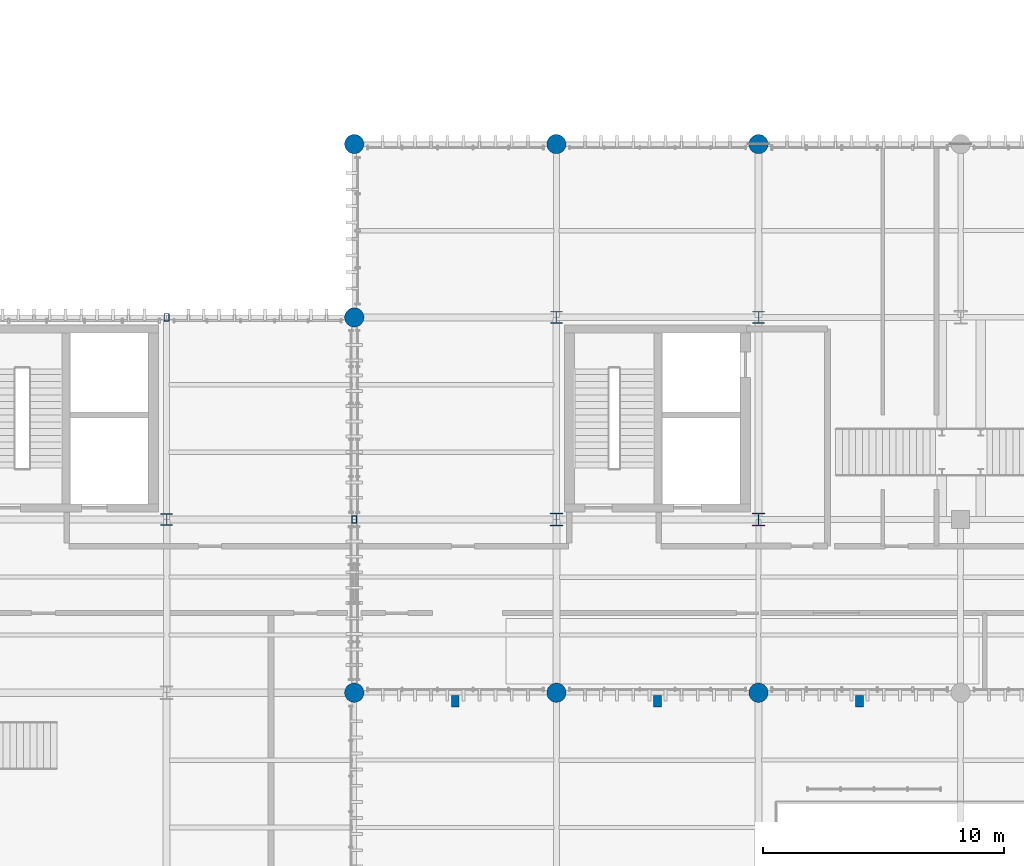
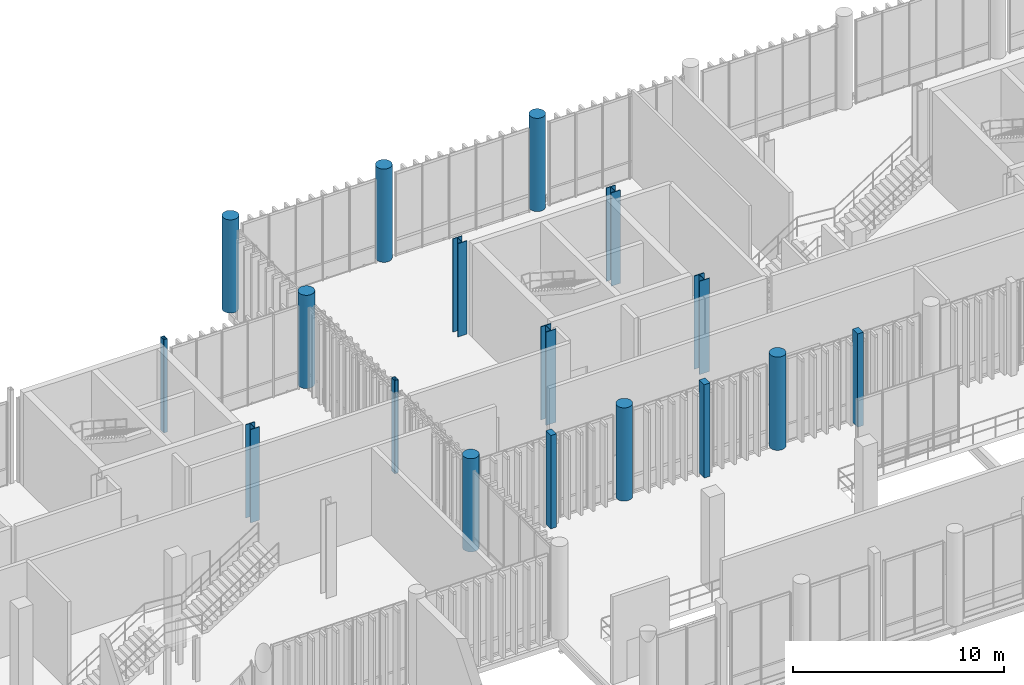
# One storey, part 4 of 128: 17 columns.
"""IFC4 building model written with IfcOpenShell, lengths in metres."""

from ifc_helpers import new_model, si_unit, direction, frame, origin_with_axes, origin_2d_with_axis, place, context, subcontext, project, spatial, rectangle, hollow_rectangle, circle, i_section, extrude, material, material_profile, profile_set, type_object, element, save


model = new_model("IFC4")

# Units and contexts
model_context = context("Model", 3, precision=1e-05, world=origin_with_axes(), true_north=direction((0.0, 1.0)))
body_context = subcontext(model_context, "Body", "Model", "MODEL_VIEW")
ifc_project = project(units=[si_unit("LENGTHUNIT", "METRE"), si_unit("AREAUNIT", "SQUARE_METRE"), si_unit("VOLUMEUNIT", "CUBIC_METRE"), si_unit("PLANEANGLEUNIT", "RADIAN"), si_unit("MASSUNIT", "GRAM", prefix="KILO"), si_unit("THERMODYNAMICTEMPERATUREUNIT", "KELVIN")], contexts=[model_context])

# Site, building, storey
site_placement = place(None, origin_with_axes())
site = spatial("IfcSite", under=ifc_project, at=site_placement, CompositionType="ELEMENT")
building_placement = place(site_placement, origin_with_axes())
building = spatial("IfcBuilding", under=site, at=building_placement, Name="Montbau Bow Law Courts", CompositionType="ELEMENT")
storey_placement = place(building_placement, frame((0.0, 0.0, 5.4), z_axis=(0.0, 0.0, 1.0), x_axis=(1.0, 0.0, 0.0)))
storey = spatial("IfcBuildingStorey", under=building, at=storey_placement, Name="L01", CompositionType="ELEMENT", Elevation=5.4)

# Columns
ifc_material_1 = material(Name="Steel CSA G40.21 Grade 350WT (350 MPa)", Category="steel")
ifc_material_profile_1 = material_profile(ifc_material_1, hollow_rectangle(XDim=0.203, YDim=0.305, WallThickness=0.0127, InnerFilletRadius=0.0254, OuterFilletRadius=0.0127, at=origin_2d_with_axis()), Name="HSS305X203X13", Category="Main", Priority=0)
ifc_profile_set_1 = profile_set([ifc_material_profile_1], Name="Steel CSA G40.21 Grade 350WT (350 MPa)")
column_type_1 = type_object("IfcColumnType", Name="C-HSS-03", PredefinedType="COLUMN", material=ifc_profile_set_1)
for number, where, z_axis, x_axis, name in (
    (1, (39.0, 54.6, 5.4), (0.0, 0.0, 1.0), (1.0, 0.0, 0.0), "C-L01-S0392:col2_0392"),
    (2, (46.8, 46.2, 5.4), (0.0, 0.0, 1.0), (1.0, 0.0, 0.0), "C-L01-S0396:col2_0396"),
):
    element("IfcColumn", number, at=place(None, frame(where, z_axis=z_axis, x_axis=x_axis)), inside=storey, type_object=column_type_1, Name=name, PredefinedType="COLUMN", context=body_context, shape_type="SweptSolid", body=[
        extrude(hollow_rectangle(XDim=0.203, YDim=0.305, WallThickness=0.0127, InnerFilletRadius=0.0254, OuterFilletRadius=0.0127, at=origin_2d_with_axis()), origin_with_axes(), (0.0, 0.0, 1.0), 5.4),
    ])
ifc_material_2 = material(Name="Concrete CSA A23.1 f'c 40 MPa", Category="concrete")
ifc_material_profile_2 = material_profile(ifc_material_2, rectangle(XDim=0.32, YDim=0.48, at=origin_2d_with_axis()), Name="RC480X320", Category="Main", Priority=0)
ifc_profile_set_2 = profile_set([ifc_material_profile_2], Name="Concrete CSA A23.1 f'c 40 MPa")
column_type_2 = type_object("IfcColumnType", Name="C-PIL-02", PredefinedType="PILASTER", material=ifc_profile_set_2)
for number, where, z_axis, x_axis, name in (
    (3, (51.0, 38.65, 5.4), (0.0, 0.0, 1.0), (1.0, 0.0, 0.0), "PL-L01-S09:pil2_0027"),
    (4, (59.4, 38.65, 5.4), (0.0, 0.0, 1.0), (1.0, 0.0, 0.0), "PL-L01-S10:pil2_0030"),
    (5, (67.8, 38.65, 5.4), (0.0, 0.0, 1.0), (1.0, 0.0, 0.0), "PL-L01-S11:pil2_0033"),
):
    element("IfcColumn", number, at=place(None, frame(where, z_axis=z_axis, x_axis=x_axis)), inside=storey, type_object=column_type_2, Name=name, PredefinedType="PILASTER", context=body_context, shape_type="SweptSolid", body=[
        extrude(rectangle(XDim=0.32, YDim=0.48, at=origin_2d_with_axis()), origin_with_axes(), (0.0, 0.0, 1.0), 5.4),
    ])
ifc_material_profile_3 = material_profile(ifc_material_2, circle(Radius=0.4, at=origin_2d_with_axis()), Name="RC800D", Category="Main", Priority=0)
ifc_profile_set_3 = profile_set([ifc_material_profile_3], Name="Concrete CSA A23.1 f'c 40 MPa")
column_type_3 = type_object("IfcColumnType", Name="C-RC-07", PredefinedType="COLUMN", material=ifc_profile_set_3)
for number, where, z_axis, x_axis, name in (
    (6, (46.8, 39.0, 5.4), (0.0, 0.0, 1.0), (1.0, 0.0, 0.0), "C-L01-S0395:col2_0395"),
    (7, (46.8, 54.6, 5.4), (0.0, 0.0, 1.0), (1.0, 0.0, 0.0), "C-L01-S0397:col2_0397"),
    (8, (46.8, 61.8, 5.4), (0.0, 0.0, 1.0), (1.0, 0.0, 0.0), "C-L01-S0398:col2_0398"),
    (9, (55.2, 39.0, 5.4), (0.0, 0.0, 1.0), (1.0, 0.0, 0.0), "C-L01-S0401:col2_0401"),
    (10, (55.2, 61.8, 5.4), (0.0, 0.0, 1.0), (1.0, 0.0, 0.0), "C-L01-S0404:col2_0404"),
    (11, (63.6, 39.0, 5.4), (0.0, 0.0, 1.0), (1.0, 0.0, 0.0), "C-L01-S0407:col2_0407"),
    (12, (63.6, 61.8, 5.4), (0.0, 0.0, 1.0), (1.0, 0.0, 0.0), "C-L01-S0410:col2_0410"),
):
    element("IfcColumn", number, at=place(None, frame(where, z_axis=z_axis, x_axis=x_axis)), inside=storey, type_object=column_type_3, Name=name, PredefinedType="COLUMN", context=body_context, shape_type="SweptSolid", body=[
        extrude(circle(Radius=0.4, at=origin_2d_with_axis()), origin_with_axes(), (0.0, 0.0, 1.0), 5.4),
    ])
ifc_material_3 = material(Name="Steel CSA G40.21 Grade 350W (350 MPa)", Category="steel")
ifc_material_profile_4 = material_profile(ifc_material_3, i_section(OverallWidth=0.55, OverallDepth=0.55, WebThickness=0.025, FlangeThickness=0.042, at=origin_2d_with_axis()), Name="WWF550X420", Category="Main", Priority=0)
ifc_profile_set_4 = profile_set([ifc_material_profile_4], Name="Steel CSA G40.21 Grade 350W (350 MPa)")
column_type_4 = type_object("IfcColumnType", Name="C-STL-01", PredefinedType="COLUMN", material=ifc_profile_set_4)
for number, where, z_axis, x_axis, name in (
    (13, (55.2, 46.2, 5.4), (0.0, 0.0, 1.0), (1.0, 0.0, 0.0), "C-L01-S0402:col2_0402"),
    (14, (63.6, 46.2, 5.4), (0.0, 0.0, 1.0), (1.0, 0.0, 0.0), "C-L01-S0408:col2_0408"),
):
    element("IfcColumn", number, at=place(None, frame(where, z_axis=z_axis, x_axis=x_axis)), inside=storey, type_object=column_type_4, Name=name, PredefinedType="COLUMN", context=body_context, shape_type="SweptSolid", body=[
        extrude(i_section(OverallWidth=0.55, OverallDepth=0.55, WebThickness=0.025, FlangeThickness=0.042, at=origin_2d_with_axis()), origin_with_axes(), (0.0, 0.0, 1.0), 5.4),
    ])
ifc_material_profile_5 = material_profile(ifc_material_3, i_section(OverallWidth=0.5, OverallDepth=0.5, WebThickness=0.022, FlangeThickness=0.036, at=origin_2d_with_axis()), Name="WWF500X343", Category="Main", Priority=0)
ifc_profile_set_5 = profile_set([ifc_material_profile_5], Name="Steel CSA G40.21 Grade 350W (350 MPa)")
column_type_5 = type_object("IfcColumnType", Name="C-STL-02", PredefinedType="COLUMN", material=ifc_profile_set_5)
for number, where, z_axis, x_axis, name in (
    (15, (39.0, 46.2, 5.4), (0.0, 0.0, 1.0), (1.0, 0.0, 0.0), "C-L01-S0391:col2_0391"),
    (16, (55.2, 54.6, 5.4), (0.0, 0.0, 1.0), (1.0, 0.0, 0.0), "C-L01-S0403:col2_0403"),
    (17, (63.6, 54.6, 5.4), (0.0, 0.0, 1.0), (1.0, 0.0, 0.0), "C-L01-S0409:col2_0409"),
):
    element("IfcColumn", number, at=place(None, frame(where, z_axis=z_axis, x_axis=x_axis)), inside=storey, type_object=column_type_5, Name=name, PredefinedType="COLUMN", context=body_context, shape_type="SweptSolid", body=[
        extrude(i_section(OverallWidth=0.5, OverallDepth=0.5, WebThickness=0.022, FlangeThickness=0.036, at=origin_2d_with_axis()), origin_with_axes(), (0.0, 0.0, 1.0), 5.4),
    ])

save(model, "model.ifc")
